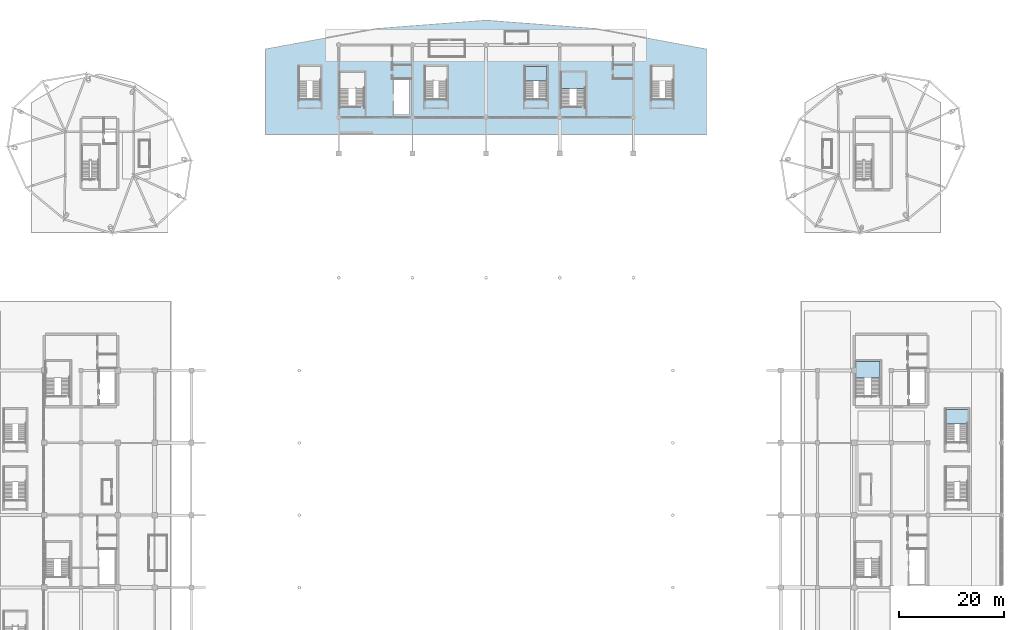
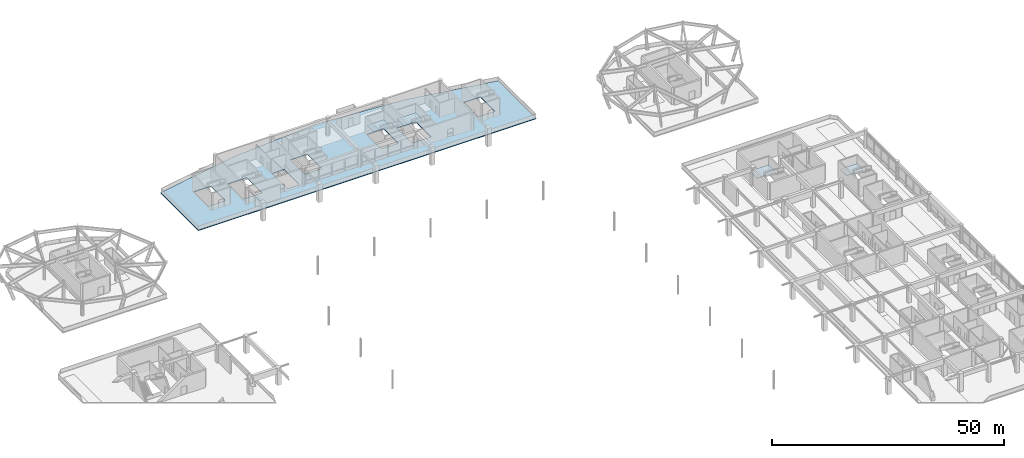
# One storey, part 55 of 91: 5 slabs, 4 elements without a shape of their own.
"""IFC4 building model written with IfcOpenShell, lengths in metres."""

from ifc_helpers import new_model, si_unit, direction, frame, origin, place, context, subcontext, project, spatial, polyline, outline, extrude, material, layer, layer_set, type_object, element, aggregate, save


model = new_model("IFC4")

# Units and contexts
model_context = context("Model", 3, precision=1e-05, world=origin(), true_north=direction((0.0, 1.0)))
body_context = subcontext(model_context, "Body", "Model", "MODEL_VIEW")
ifc_project = project(units=[si_unit("LENGTHUNIT", "METRE"), si_unit("AREAUNIT", "SQUARE_METRE"), si_unit("VOLUMEUNIT", "CUBIC_METRE"), si_unit("PLANEANGLEUNIT", "RADIAN"), si_unit("MASSUNIT", "GRAM", prefix="KILO")], contexts=[model_context])

# Site, building, storey
site_placement = place(None, origin())
site = spatial("IfcSite", under=ifc_project, at=site_placement, CompositionType="ELEMENT")
building_placement = place(site_placement, origin())
building = spatial("IfcBuilding", under=site, at=building_placement, Name="Linyun Crest Stadium", CompositionType="ELEMENT")
storey_placement = place(building_placement, frame((0.0, 0.0, 11.39990234375)))
storey = spatial("IfcBuildingStorey", under=building, at=storey_placement, Name="L03", CompositionType="ELEMENT", Elevation=11.39990234375)

# Slab
ifc_material_1 = material(Name="Concrete C40", Category="concrete")
ifc_layer_1 = layer(ifc_material_1, 0.199951171875)
ifc_layer_set_1 = layer_set([ifc_layer_1], Name="Concrete C40")
slab_type_1 = type_object("IfcSlabType", Name="FS02", PredefinedType="FLOOR", material=ifc_layer_set_1)
slab_1_placement = place(storey_placement, frame((0.0, 0.0, -0.199951171875)))
element("IfcSlab", 1, at=slab_1_placement, inside=storey, type_object=slab_type_1, Name="Slab FS02 V3 L03 34", PredefinedType="FLOOR", context=body_context, shape_type="SweptSolid", body=[
    extrude(outline(polyline([(-42.0, 88.199951171875), (42.0, 88.199951171875), (42.0, 104.5), (21.0, 108.39990234375), (0.0, 110.0), (-21.0, 108.39990234375), (-42.0, 104.5), (-42.0, 88.199951171875)]), holes=[polyline([(-27.824951171875, 93.52001953125), (-27.824951171875, 100.10009765625), (-23.10009765625, 100.10009765625), (-23.10009765625, 93.52001953125), (-27.824951171875, 93.52001953125)]), polyline([(-17.60009765625, 92.14990234375), (-17.60009765625, 98.75), (-14.60009765625, 98.75), (-14.60009765625, 92.14990234375), (-17.60009765625, 92.14990234375)]), polyline([(14.199951171875, 93.52001953125), (14.199951171875, 100.10009765625), (18.89990234375, 100.10009765625), (18.89990234375, 93.52001953125), (14.199951171875, 93.52001953125)]), polyline([(-35.60009765625, 94.949951171875), (-35.60009765625, 101.199951171875), (-31.39990234375, 101.199951171875), (-31.39990234375, 94.949951171875), (-35.60009765625, 94.949951171875)]), polyline([(-11.60009765625, 94.949951171875), (-11.60009765625, 101.199951171875), (-7.39990234375, 101.199951171875), (-7.39990234375, 94.949951171875), (-11.60009765625, 94.949951171875)]), polyline([(7.39990234375, 94.949951171875), (7.39990234375, 101.199951171875), (11.60009765625, 101.199951171875), (11.60009765625, 94.949951171875), (7.39990234375, 94.949951171875)]), polyline([(31.39990234375, 94.949951171875), (31.39990234375, 101.199951171875), (35.60009765625, 101.199951171875), (35.60009765625, 94.949951171875), (31.39990234375, 94.949951171875)])]), origin(), (0.0, 0.0, 1.0), 0.199951171875),
])

# Stair, slab
ifc_material_2 = material(Name="Concrete C40", Category="concrete")
stair_type = type_object("IfcStairType", Name="STA03", PredefinedType="HALF_TURN_STAIR", material=ifc_material_2)
stair_1_placement = place(storey_placement, origin())
stair_1 = element("IfcStair", 2, at=stair_1_placement, inside=storey, type_object=stair_type, Name="Evacuation stair STR-06-L03", PredefinedType="HALF_TURN_STAIR")
ifc_material_3 = material(Name="Concrete C40", Category="concrete")
ifc_layer_2 = layer(ifc_material_3, 0.179931640625)
ifc_layer_set_2 = layer_set([ifc_layer_2], Name="Concrete C40")
slab_type_2 = type_object("IfcSlabType", Name="LS01", PredefinedType="LANDING", material=ifc_layer_set_2)
slab_2_placement = place(storey_placement, frame((0.0, 0.0, 2.22021484375)))
slab_2 = element("IfcSlab", 3, at=slab_2_placement, type_object=slab_type_2, Name="STR-06-L03 half-landing", PredefinedType="LANDING", context=body_context, shape_type="SweptSolid", body=[
    extrude(outline(polyline([(70.22509765625, 41.989990234375), (74.89990234375, 41.989990234375), (74.89990234375, 45.10009765625), (70.22509765625, 45.10009765625), (70.22509765625, 41.989990234375)])), origin(), (0.0, 0.0, 1.0), 0.179931640625),
])
aggregate(stair_1, [slab_2])

stair_2_placement = place(storey_placement, origin())
stair_2 = element("IfcStair", 4, at=stair_2_placement, inside=storey, type_object=stair_type, Name="Evacuation stair STR-08-L03", PredefinedType="HALF_TURN_STAIR")
slab_3_placement = place(storey_placement, frame((0.0, 0.0, 2.22021484375)))
slab_3 = element("IfcSlab", 5, at=slab_3_placement, type_object=slab_type_2, Name="STR-08-L03 half-landing", PredefinedType="LANDING", context=body_context, shape_type="SweptSolid", body=[
    extrude(outline(polyline([(14.199951171875, 96.989990234375), (18.89990234375, 96.989990234375), (18.89990234375, 100.10009765625), (14.199951171875, 100.10009765625), (14.199951171875, 96.989990234375)])), origin(), (0.0, 0.0, 1.0), 0.179931640625),
])
aggregate(stair_2, [slab_3])

stair_3_placement = place(storey_placement, origin())
stair_3 = element("IfcStair", 6, at=stair_3_placement, inside=storey, type_object=stair_type, Name="Vomitory evacuation stair STR-22-L03", PredefinedType="HALF_TURN_STAIR")
slab_4_placement = place(storey_placement, frame((0.0, 0.0, 2.22021484375)))
slab_4 = element("IfcSlab", 7, at=slab_4_placement, type_object=slab_type_2, Name="STR-22-L03 half-landing", PredefinedType="LANDING", context=body_context, shape_type="SweptSolid", body=[
    extrude(outline(polyline([(87.39990234375, 33.219970703125), (91.60009765625, 33.219970703125), (91.60009765625, 36.0), (87.39990234375, 36.0), (87.39990234375, 33.219970703125)])), origin(), (0.0, 0.0, 1.0), 0.179931640625),
])
aggregate(stair_3, [slab_4])

stair_4_placement = place(storey_placement, origin())
stair_4 = element("IfcStair", 8, at=stair_4_placement, inside=storey, type_object=stair_type, Name="Vomitory evacuation stair STR-25-L03", PredefinedType="HALF_TURN_STAIR")
slab_5_placement = place(storey_placement, frame((0.0, 0.0, 2.22021484375)))
slab_5 = element("IfcSlab", 9, at=slab_5_placement, type_object=slab_type_2, Name="STR-25-L03 half-landing", PredefinedType="LANDING", context=body_context, shape_type="SweptSolid", body=[
    extrude(outline(polyline([(7.39990234375, 98.419921875), (11.60009765625, 98.419921875), (11.60009765625, 101.199951171875), (7.39990234375, 101.199951171875), (7.39990234375, 98.419921875)])), origin(), (0.0, 0.0, 1.0), 0.179931640625),
])
aggregate(stair_4, [slab_5])

save(model, "model.ifc")
